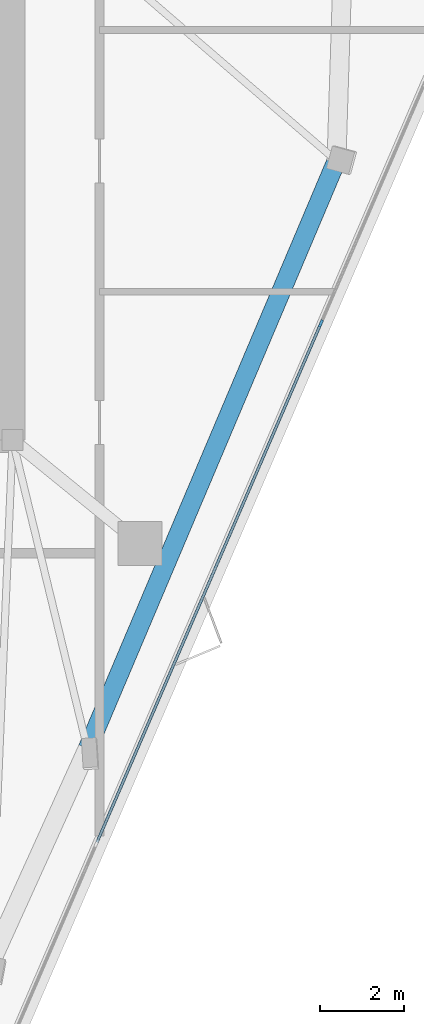
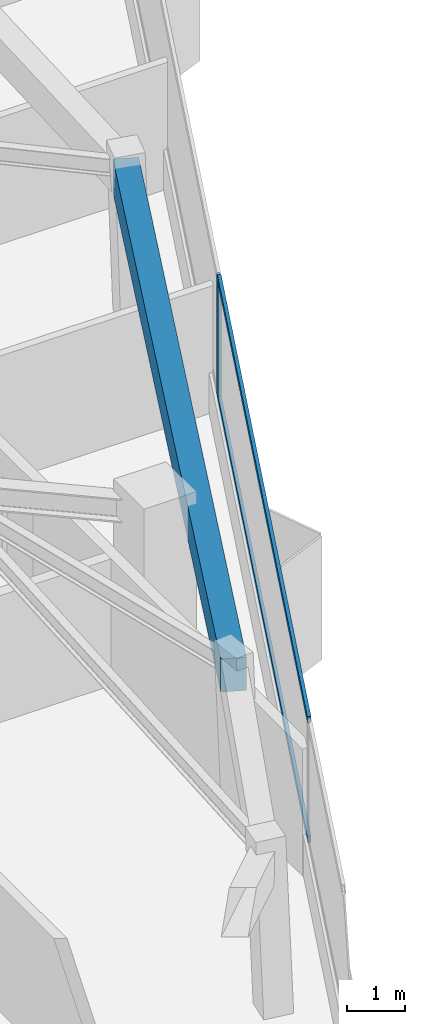
# One storey, part 3 of 9: 3 members, 1 beam, 1 element without a shape of its own.
"""IFC4 building model written with IfcOpenShell, lengths in metres."""

from ifc_helpers import new_model, si_unit, direction, frame, origin, origin_2d, place, context, subcontext, project, spatial, rectangle, extrude, material, layer, layer_set, material_profile, profile_set, type_object, element, aggregate, save


model = new_model("IFC4")

# Units and contexts
model_context = context("Model", 3, precision=1e-05, world=origin(), true_north=direction((0.0, 1.0)))
body_context = subcontext(model_context, "Body", "Model", "MODEL_VIEW")
ifc_project = project(units=[si_unit("LENGTHUNIT", "METRE"), si_unit("AREAUNIT", "SQUARE_METRE"), si_unit("VOLUMEUNIT", "CUBIC_METRE"), si_unit("PLANEANGLEUNIT", "RADIAN"), si_unit("MASSUNIT", "GRAM", prefix="KILO")], contexts=[model_context])

# Site, building, storey
site_placement = place(None, origin())
site = spatial("IfcSite", under=ifc_project, at=site_placement, CompositionType="ELEMENT")
building_placement = place(site_placement, origin())
building = spatial("IfcBuilding", under=site, at=building_placement, Name="Talyreon Biosciences Tower", CompositionType="ELEMENT")
storey_placement = place(building_placement, frame((0.0, 0.0, 294.75)))
storey = spatial("IfcBuildingStorey", under=building, at=storey_placement, Name="L78", CompositionType="ELEMENT", Elevation=294.75)

# Curtain wall, members
ifc_material_1 = material(Name="Thermally broken aluminium and low-E glazing", Category="aluminium")
ifc_layer = layer(ifc_material_1, 0.175048828125)
ifc_layer_set = layer_set([ifc_layer], Name="Thermally broken aluminium and low-E glazing")
curtain_wall_type = type_object("IfcCurtainWallType", Name="CurtainWall_Zone5CompLab", PredefinedType="NOTDEFINED", material=ifc_layer_set)
curtain_wall_placement = place(storey_placement, origin())
curtain_wall = element("IfcCurtainWall", 1, at=curtain_wall_placement, inside=storey, type_object=curtain_wall_type, Name="L78 Unitised Curtain Wall FCW-L78-08", PredefinedType="NOTDEFINED")
ifc_material_2 = material(Name="Anodised thermally broken aluminium", Category="aluminium")
ifc_material_profile_1 = material_profile(ifc_material_2, rectangle(XDim=0.06494140625, YDim=0.179931640625, at=origin_2d()), Name="ALUM MULLION 65x180")
ifc_profile_set_1 = profile_set([ifc_material_profile_1], Name="Anodised thermally broken aluminium")
member_type_1 = type_object("IfcMemberType", Name="CWMullion_65x180", PredefinedType="MULLION", material=ifc_profile_set_1)
member_1_placement = place(storey_placement, frame((81.39599609375, 64.1279296875, 0.81005859375), z_axis=(0.0, 0.0, 1.0), x_axis=(0.918187314575, -0.396146507437, 0.0)))
member_1 = element("IfcMember", 2, at=member_1_placement, type_object=member_type_1, Name="CW6 mullion 2", PredefinedType="MULLION", context=body_context, shape_type="SweptSolid", body=[
    extrude(rectangle(XDim=0.06494140625, YDim=0.179931640625, at=origin_2d()), origin(), (0.0, 0.0, 1.0), 2.58984375),
])
ifc_material_profile_2 = material_profile(ifc_material_2, rectangle(XDim=0.06494140625, YDim=0.139892578125, at=origin_2d()), Name="ALUM TRANSOM 65x140")
ifc_profile_set_2 = profile_set([ifc_material_profile_2], Name="Anodised thermally broken aluminium")
member_type_2 = type_object("IfcMemberType", Name="CWTransom_65x140", PredefinedType="USERDEFINED", material=ifc_profile_set_2)
member_2_placement = place(storey_placement, frame((81.383056640625, 64.097900390625, 0.842529296875), z_axis=(-0.396140083642, -0.918190086056, 0.0), x_axis=(0.918190086056, -0.396140083642, 0.0)))
member_2 = element("IfcMember", 3, at=member_2_placement, type_object=member_type_2, Name="CW6 transom 2.1", ObjectType="TRANSOM", PredefinedType="USERDEFINED", context=body_context, shape_type="SweptSolid", body=[
    extrude(rectangle(XDim=0.06494140625, YDim=0.139892578125, at=origin_2d()), origin(), (0.0, 0.0, 1.0), 13.433349609375),
])
member_3_placement = place(storey_placement, frame((81.383056640625, 64.097900390625, 3.367431640625), z_axis=(-0.396140083642, -0.918190086056, 0.0), x_axis=(0.918190086056, -0.396140083642, 0.0)))
member_3 = element("IfcMember", 4, at=member_3_placement, type_object=member_type_2, Name="CW6 transom 2.2", ObjectType="TRANSOM", PredefinedType="USERDEFINED", context=body_context, shape_type="SweptSolid", body=[
    extrude(rectangle(XDim=0.06494140625, YDim=0.139892578125, at=origin_2d()), origin(), (0.0, 0.0, 1.0), 13.433349609375),
])
aggregate(curtain_wall, [member_1, member_2, member_3])

# Beam
ifc_material_3 = material(Name="Precast concrete C45/55", Category="concrete")
ifc_material_profile_3 = material_profile(ifc_material_3, rectangle(XDim=0.449951171875, YDim=0.699951171875, at=origin_2d()), Name="RCB 450x700")
ifc_profile_set_3 = profile_set([ifc_material_profile_3], Name="Precast concrete C45/55")
beam_type = type_object("IfcBeamType", Name="ExpressedSpandrel_450x700", PredefinedType="SPANDREL", material=ifc_profile_set_3)
beam_placement = place(storey_placement, frame((75.835205078125, 53.992919921875, 3.050048828125), z_axis=(0.389964549489, 0.920829870357, 0.0), x_axis=(-0.920829870357, 0.389964549489, 0.0)))
element("IfcBeam", 5, at=beam_placement, inside=storey, type_object=beam_type, Name="L78 Expressed Horizontal Concrete Spandrel 03", PredefinedType="SPANDREL", context=body_context, shape_type="SweptSolid", body=[
    extrude(rectangle(XDim=0.449951171875, YDim=0.699951171875, at=origin_2d()), origin(), (0.0, 0.0, 1.0), 15.213134765625),
])

save(model, "model.ifc")
